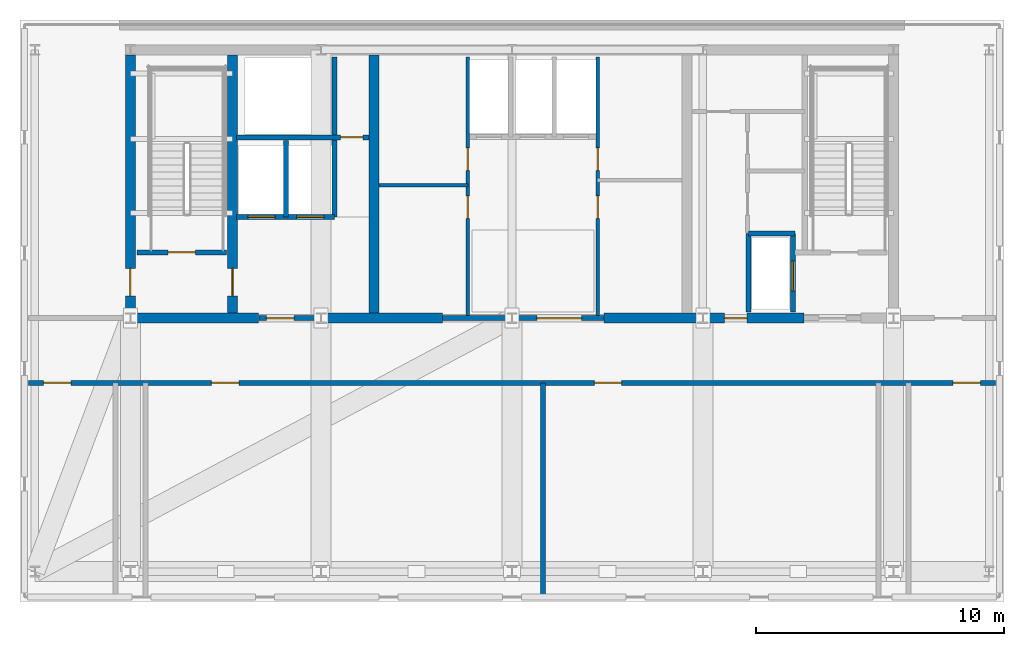
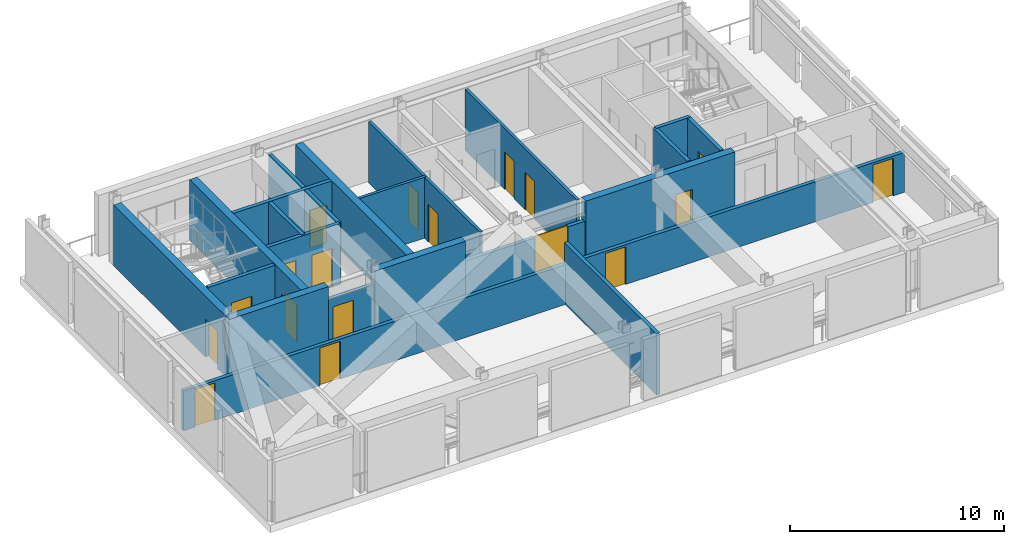
# One storey, part 2 of 8: 21 walls, 18 doors, 18 openings.
"""IFC4 building model written with IfcOpenShell, lengths in metres."""

import ifcopenshell
import ifcopenshell.guid

model = None  # the IFC model being written
_history = None  # IfcOwnerHistory: only IFC2X3 demands one
_inside = {}  # id of a spatial element -> (the spatial element, [elements in it])
_under = {}  # id of a project, library or spatial element -> (it, [spatial elements below it])
_declared = {}  # id of a project -> (the project, [libraries it declares])
_typed = {}  # id of a type object -> (the type object, [elements of that type])
_made_of = {}  # id of a material, layer set ... -> (it, [elements and type objects made of it])


def new_model(schema):
    """Start an empty IFC model of exactly this schema.

    Asked for "IFC4X3", IfcOpenShell would pick the latest addendum, in which some entities
    have other attributes; the version numbers below select the first issue.
    IFC2X3 requires an IfcOwnerHistory on every rooted entity: one is made here for all.
    """
    global model, _history
    if schema == "IFC4X3":
        model = ifcopenshell.file(schema_version=(4, 3, 0, 0))
    else:
        model = ifcopenshell.file(schema=schema)
    _inside.clear()
    _under.clear()
    _declared.clear()
    _typed.clear()
    _made_of.clear()
    _history = None
    if model.schema == "IFC2X3":
        org = make("IfcOrganization", Name="unknown")
        user = make(
            "IfcPersonAndOrganization",
            ThePerson=make("IfcPerson", FamilyName="unknown"),
            TheOrganization=org,
        )
        app = make(
            "IfcApplication",
            ApplicationDeveloper=org,
            Version="unknown",
            ApplicationFullName="unknown",
            ApplicationIdentifier="unknown",
        )
        _history = make(
            "IfcOwnerHistory",
            OwningUser=user,
            OwningApplication=app,
            ChangeAction="ADDED",
            CreationDate=0,
        )
    return model


def make(cls, **values):
    """One entity of the class cls with the attributes given. An attribute that is None is left unset."""
    return model.create_entity(
        cls, **{name: value for name, value in values.items() if value is not None}
    )


def rooted(cls, **values):
    """An entity with a GlobalId (a new one), such as an element, a storey or a relation."""
    return make(cls, GlobalId=ifcopenshell.guid.new(), OwnerHistory=_history, **values)


def si_unit(unit_type, name, prefix=None):
    """IfcSIUnit, for example si_unit("LENGTHUNIT", "METRE", prefix="MILLI")."""
    return make("IfcSIUnit", UnitType=unit_type, Prefix=prefix, Name=name)


def assignment(units):
    """IfcUnitAssignment: the units of a project."""
    return None if units is None else make("IfcUnitAssignment", Units=units)


def point(xyz):
    """IfcCartesianPoint."""
    return None if xyz is None else make("IfcCartesianPoint", Coordinates=xyz)


def direction(xyz):
    """IfcDirection."""
    return None if xyz is None else make("IfcDirection", DirectionRatios=xyz)


def frame(location, z_axis=None, x_axis=None):
    """IfcAxis2Placement3D, a coordinate frame: its origin and axes. An axis left out is left unset."""
    return make(
        "IfcAxis2Placement3D",
        Location=point(location),
        Axis=direction(z_axis),
        RefDirection=direction(x_axis),
    )


def frame_2d(location, x_axis=None):
    """IfcAxis2Placement2D, a coordinate frame in the plane: its origin and x axis."""
    return make(
        "IfcAxis2Placement2D", Location=point(location), RefDirection=direction(x_axis)
    )


def origin():
    """The frame at (0, 0, 0) with its axes left unset."""
    return frame((0.0, 0.0, 0.0))


def place(relative_to, where):
    """IfcLocalPlacement: puts the frame where relative to a parent placement (None: the world)."""
    return make(
        "IfcLocalPlacement", PlacementRelTo=relative_to, RelativePlacement=where
    )


def context(
    kind, dimensions, precision=None, world=None, true_north=None, identifier=None
):
    """IfcGeometricRepresentationContext, for example the 3D "Model" context."""
    return make(
        "IfcGeometricRepresentationContext",
        ContextIdentifier=identifier,
        ContextType=kind,
        CoordinateSpaceDimension=dimensions,
        Precision=precision,
        WorldCoordinateSystem=world,
        TrueNorth=true_north,
    )


def subcontext(parent, identifier, kind, view, scale=None):
    """IfcGeometricRepresentationSubContext, for example "Body" below "Model"."""
    return make(
        "IfcGeometricRepresentationSubContext",
        ContextIdentifier=identifier,
        ContextType=kind,
        ParentContext=parent,
        TargetScale=scale,
        TargetView=view,
    )


def project(units=None, contexts=None):
    """IfcProject with its units and contexts."""
    return rooted(
        "IfcProject",
        Name="project",
        RepresentationContexts=contexts,
        UnitsInContext=assignment(units),
    )


def spatial(cls, under=None, at=None, **own):
    """A site, building, storey or space (cls), placed at a placement, below another one or the project."""
    s = rooted(cls, ObjectPlacement=at, **own)
    if under is not None:
        _under.setdefault(under.id(), (under, []))[1].append(s)
    return s


def profile(cls, at=None, kind="AREA", **sizes):
    """A parametric profile (cls). Its sizes go by their IFC names, for example OverallWidth=200.0."""
    return make(cls, ProfileType=kind, Position=at, **sizes)


def rectangle(**sizes):
    """IfcRectangleProfileDef."""
    return profile("IfcRectangleProfileDef", **sizes)


def extrude(swept, where, along, depth):
    """IfcExtrudedAreaSolid: the profile swept, set in the frame where, extruded along a direction by depth."""
    return make(
        "IfcExtrudedAreaSolid",
        SweptArea=swept,
        Position=where,
        ExtrudedDirection=direction(along),
        Depth=depth,
    )


def shape(context_of_items, identifier, shape_type, items):
    """IfcShapeRepresentation: the items that make up one representation, for example the "Body"."""
    return make(
        "IfcShapeRepresentation",
        ContextOfItems=context_of_items,
        RepresentationIdentifier=identifier,
        RepresentationType=shape_type,
        Items=items,
    )


def material(Name=None, Category=None):
    """IfcMaterial."""
    return make("IfcMaterial", Name=Name, Category=Category)


def layer(
    of_material, thickness, ventilated=None, Name=None, Category=None, Priority=None
):
    """IfcMaterialLayer: one layer of a wall or slab, of a material (None: an air gap)."""
    return make(
        "IfcMaterialLayer",
        Material=of_material,
        LayerThickness=thickness,
        IsVentilated=ventilated,
        Name=Name,
        Category=Category,
        Priority=Priority,
    )


def layer_set(layers, Name=None):
    """IfcMaterialLayerSet."""
    return make("IfcMaterialLayerSet", MaterialLayers=layers, LayerSetName=Name)


def made_of(thing, what):
    """Note that an element or type object is made of a material, layer set ...; save() writes the relation."""
    if what is not None:
        _made_of.setdefault(what.id(), (what, []))[1].append(thing)
    return thing


def type_object(cls, material=None, **own):
    """A type object (cls), such as IfcWallType, which elements share."""
    return made_of(rooted(cls, **own), material)


def element(
    cls,
    number,
    at=None,
    inside=None,
    cuts=None,
    type_object=None,
    material=None,
    context=None,
    identifier="Body",
    shape_type=None,
    held_by="IfcProductDefinitionShape",
    body=None,
    shapes=None,
    **own,
):
    """One element of the class cls, such as IfcWall. Its Tag is "e" and its number.

    at: its placement. inside: the storey or other place that contains it. cuts: it is an
    opening in that element (IfcRelVoidsElement). A single representation is given by context,
    identifier, shape_type and body (its items); several are given by shapes. held_by: the class
    of the entity that holds the representations. save() writes the other relations.
    """
    e = rooted(cls, Tag="e%d" % number, ObjectPlacement=at, **own)
    if body is not None:
        shapes = [shape(context, identifier, shape_type, body)]
    if shapes is not None:
        e.Representation = make(held_by, Representations=shapes)
    if inside is not None:
        _inside.setdefault(inside.id(), (inside, []))[1].append(e)
    if cuts is not None:
        rooted(
            "IfcRelVoidsElement", RelatingBuildingElement=cuts, RelatedOpeningElement=e
        )
    if type_object is not None:
        _typed.setdefault(type_object.id(), (type_object, []))[1].append(e)
    return made_of(e, material)


def fill(opening, filler):
    """IfcRelFillsElement: the door or window that sits in an opening."""
    return rooted(
        "IfcRelFillsElement",
        RelatingOpeningElement=opening,
        RelatedBuildingElement=filler,
    )


def aggregate(whole, parts):
    """IfcRelAggregates: a whole, such as a stair, and the parts it consists of."""
    return rooted("IfcRelAggregates", RelatingObject=whole, RelatedObjects=parts)


def save(model, path):
    """Write the relations noted so far, then the file.

    IfcRelAggregates (storeys below a building ...), IfcRelContainedInSpatialStructure (elements
    in a storey), IfcRelDefinesByType, IfcRelAssociatesMaterial and IfcRelDeclares: one each for
    every whole, place, type object, material and project.
    """
    for whole, parts in _under.values():
        aggregate(whole, parts)
    for where, things in _inside.values():
        rooted(
            "IfcRelContainedInSpatialStructure",
            RelatedElements=things,
            RelatingStructure=where,
        )
    for kind, things in _typed.values():
        rooted("IfcRelDefinesByType", RelatedObjects=things, RelatingType=kind)
    for what, things in _made_of.values():
        rooted("IfcRelAssociatesMaterial", RelatedObjects=things, RelatingMaterial=what)
    for by, libraries in _declared.values():
        rooted("IfcRelDeclares", RelatingContext=by, RelatedDefinitions=libraries)
    model.write(path)


model = new_model("IFC4")

# Units and contexts
model_context = context("Model", 3, precision=1e-05, world=origin(), true_north=direction((0.0, 1.0)))
body_context = subcontext(model_context, "Body", "Model", "MODEL_VIEW")
ifc_project = project(units=[si_unit("LENGTHUNIT", "METRE"), si_unit("AREAUNIT", "SQUARE_METRE"), si_unit("VOLUMEUNIT", "CUBIC_METRE"), si_unit("PLANEANGLEUNIT", "RADIAN"), si_unit("MASSUNIT", "GRAM", prefix="KILO")], contexts=[model_context])

# Site, building, storey
site_placement = place(None, origin())
site = spatial("IfcSite", under=ifc_project, at=site_placement, CompositionType="ELEMENT")
building_placement = place(site_placement, origin())
building = spatial("IfcBuilding", under=site, at=building_placement, Name="Yelkora Congress Tower", CompositionType="ELEMENT")
storey_placement = place(building_placement, frame((0.0, 0.0, 255.199951171875)))
storey = spatial("IfcBuildingStorey", under=building, at=storey_placement, Name="L71", CompositionType="ELEMENT", Elevation=255.199951171875)

# Walls
ifc_material_1 = material(Name="Concrete C50/60", Category="concrete")
ifc_layer_1 = layer(ifc_material_1, 0.39990234375)
ifc_layer_set_1 = layer_set([ifc_layer_1], Name="Concrete C50/60")
wall_type_1 = type_object("IfcWallType", Name="WALL-CORE-INT-400", PredefinedType="SHEAR", material=ifc_layer_set_1)
wall_1_placement = place(storey_placement, frame((22.840087890625, 35.39990234375, 0.0), z_axis=(0.0, 0.0, 1.0), x_axis=(1.0, 0.0, 0.0)))
element("IfcWall", 1, at=wall_1_placement, inside=storey, type_object=wall_type_1, Name="L71 Rear Core South-West Shear Wall", PredefinedType="SHEAR", context=body_context, shape_type="SweptSolid", body=[
    extrude(rectangle(XDim=5.35986328125, YDim=0.39990234375, at=frame_2d((2.679931640625, 0.0))), origin(), (0.0, 0.0, 1.0), 3.47998046875),
])
wall_2_placement = place(storey_placement, frame((30.719970703125, 35.39990234375, 0.0), z_axis=(0.0, 0.0, 1.0), x_axis=(1.0, 0.0, 0.0)))
element("IfcWall", 2, at=wall_2_placement, inside=storey, type_object=wall_type_1, Name="L71 Rear Core South-Center Shear Pier", PredefinedType="SHEAR", context=body_context, shape_type="SweptSolid", body=[
    extrude(rectangle(XDim=4.880126953125, YDim=0.39990234375, at=frame_2d((2.43994140625, 0.0))), origin(), (0.0, 0.0, 1.0), 3.47998046875),
])

# Wall, opening, door
wall_3_placement = place(storey_placement, frame((42.10009765625, 35.39990234375, 0.0), z_axis=(0.0, 0.0, 1.0), x_axis=(1.0, 0.0, 0.0)))
wall_3 = element("IfcWall", 3, at=wall_3_placement, inside=storey, type_object=wall_type_1, Name="L71 Rear Core South-East Shear Wall A", PredefinedType="SHEAR", context=body_context, shape_type="SweptSolid", body=[
    extrude(rectangle(XDim=8.0498046875, YDim=0.39990234375, at=frame_2d((4.02490234375, 0.0))), origin(), (0.0, 0.0, 1.0), 3.47998046875),
])
opening_1_placement = place(wall_3_placement, frame((4.85009765625, 0.0, 0.0)))
opening_1 = element("IfcOpeningElement", 4, at=opening_1_placement, cuts=wall_3, Name="Opening DR-090F6", PredefinedType="OPENING", context=body_context, shape_type="SweptSolid", body=[
    extrude(rectangle(XDim=0.89990234375, YDim=2.14990234375, at=frame_2d((0.449951171875, 1.074951171875))), frame((0.0, 0.2099609375, 0.0), z_axis=(0.0, -1.0, 0.0), x_axis=(1.0, 0.0, 0.0)), (0.0, 0.0, 1.0), 0.419921875),
])
ifc_material_2 = material(Name="Painted steel riser fire door leaf", Category="steel")
door_type_1 = type_object("IfcDoorType", Name="DOOR-FD60-900", OperationType="NOTDEFINED", PredefinedType="DOOR", material=ifc_material_2)
door_1_placement = place(opening_1_placement, origin())
door_1 = element("IfcDoor", 5, at=door_1_placement, inside=storey, type_object=door_type_1, Name="L71 Core Washroom Lobby Door", OperationType="SINGLE_SWING_RIGHT", OverallHeight=2.14990234375, OverallWidth=0.89990234375, PredefinedType="DOOR", context=body_context, shape_type="SweptSolid", body=[
    extrude(rectangle(XDim=0.89990234375, YDim=2.14990234375, at=frame_2d((0.449951171875, 1.074951171875))), frame((0.0, 0.02490234375, 0.0), z_axis=(0.0, -1.0, 0.0), x_axis=(1.0, 0.0, 0.0)), (0.0, 0.0, 1.0), 0.050048828125),
])
fill(opening_1, door_1)

wall_4_placement = place(storey_placement, frame((23.0400390625, 35.60009765625, 0.0), z_axis=(0.0, 0.0, 1.0), x_axis=(0.0, 1.0, 0.0)))
wall_4 = element("IfcWall", 6, at=wall_4_placement, inside=storey, type_object=wall_type_1, Name="L71 Rear Core Cross Shear Wall W", PredefinedType="SHEAR", context=body_context, shape_type="SweptSolid", body=[
    extrude(rectangle(XDim=10.39990234375, YDim=0.39990234375, at=frame_2d((5.199951171875, 0.0))), origin(), (0.0, 0.0, 1.0), 3.47998046875),
])
opening_2_placement = place(wall_4_placement, frame((0.699951171875, 0.0, 0.0)))
opening_2 = element("IfcOpeningElement", 7, at=opening_2_placement, cuts=wall_4, Name="Opening DR-110F9", PredefinedType="OPENING", context=body_context, shape_type="SweptSolid", body=[
    extrude(rectangle(XDim=1.10009765625, YDim=2.14990234375, at=frame_2d((0.550048828125, 1.074951171875))), frame((0.0, 0.2099609375, 0.0), z_axis=(0.0, -1.0, 0.0), x_axis=(1.0, 0.0, 0.0)), (0.0, 0.0, 1.0), 0.419921875),
])
ifc_material_3 = material(Name="Galvanised steel fire door leaf", Category="steel")
door_type_2 = type_object("IfcDoorType", Name="DOOR-FD90-1100", OperationType="NOTDEFINED", PredefinedType="DOOR", material=ifc_material_3)
door_2_placement = place(opening_2_placement, origin())
door_2 = element("IfcDoor", 8, at=door_2_placement, inside=storey, type_object=door_type_2, Name="L71 Area of Refuge Direct Stair-Lobby Door", OperationType="SINGLE_SWING_LEFT", OverallHeight=2.14990234375, OverallWidth=1.10009765625, PredefinedType="DOOR", context=body_context, shape_type="SweptSolid", body=[
    extrude(rectangle(XDim=1.10009765625, YDim=2.14990234375, at=frame_2d((0.550048828125, 1.074951171875))), frame((0.0, 0.02490234375, 0.0), z_axis=(0.0, -1.0, 0.0), x_axis=(1.0, 0.0, 0.0)), (0.0, 0.0, 1.0), 0.050048828125),
])
fill(opening_2, door_2)

wall_5_placement = place(storey_placement, frame((27.14990234375, 35.60009765625, 0.0), z_axis=(0.0, 0.0, 1.0), x_axis=(0.0, 1.0, 0.0)))
wall_5 = element("IfcWall", 9, at=wall_5_placement, inside=storey, type_object=wall_type_1, Name="L71 Rear Core Cross Shear Wall C1", PredefinedType="SHEAR", context=body_context, shape_type="SweptSolid", body=[
    extrude(rectangle(XDim=10.39990234375, YDim=0.39990234375, at=frame_2d((5.199951171875, 0.0))), origin(), (0.0, 0.0, 1.0), 3.47998046875),
])
opening_3_placement = place(wall_5_placement, frame((0.699951171875, 0.0, 0.0)))
opening_3 = element("IfcOpeningElement", 10, at=opening_3_placement, cuts=wall_5, Name="Opening DR-110F9", PredefinedType="OPENING", context=body_context, shape_type="SweptSolid", body=[
    extrude(rectangle(XDim=1.10009765625, YDim=2.14990234375, at=frame_2d((0.550048828125, 1.074951171875))), frame((0.0, 0.2099609375, 0.0), z_axis=(0.0, -1.0, 0.0), x_axis=(1.0, 0.0, 0.0)), (0.0, 0.0, 1.0), 0.419921875),
])
door_3_placement = place(opening_3_placement, origin())
door_3 = element("IfcDoor", 11, at=door_3_placement, inside=storey, type_object=door_type_2, Name="L71 Firefighting Stair Transfer Door", OperationType="SINGLE_SWING_LEFT", OverallHeight=2.14990234375, OverallWidth=1.10009765625, PredefinedType="DOOR", context=body_context, shape_type="SweptSolid", body=[
    extrude(rectangle(XDim=1.10009765625, YDim=2.14990234375, at=frame_2d((0.550048828125, 1.074951171875))), frame((0.0, 0.02490234375, 0.0), z_axis=(0.0, -1.0, 0.0), x_axis=(1.0, 0.0, 0.0)), (0.0, 0.0, 1.0), 0.050048828125),
])
fill(opening_3, door_3)

# Walls
wall_6_placement = place(storey_placement, frame((32.85009765625, 35.60009765625, 0.0), z_axis=(0.0, 0.0, 1.0), x_axis=(0.0, 1.0, 0.0)))
element("IfcWall", 12, at=wall_6_placement, inside=storey, type_object=wall_type_1, Name="L71 Rear Core Cross Shear Wall C2", PredefinedType="SHEAR", context=body_context, shape_type="SweptSolid", body=[
    extrude(rectangle(XDim=10.39990234375, YDim=0.39990234375, at=frame_2d((5.199951171875, 0.0))), origin(), (0.0, 0.0, 1.0), 3.47998046875),
])
ifc_material_4 = material(Name="Twin-stud fire-rated gypsum partition", Category="gypsum")
ifc_layer_2 = layer(ifc_material_4, 0.14990234375)
ifc_layer_set_2 = layer_set([ifc_layer_2], Name="Twin-stud fire-rated gypsum partition")
wall_type_2 = type_object("IfcWallType", Name="WALL-INT-150-R60", PredefinedType="PARTITIONING", material=ifc_layer_set_2)
wall_7_placement = place(storey_placement, frame((33.050048828125, 40.75, 0.0), z_axis=(0.0, 0.0, 1.0), x_axis=(1.0, 0.0, 0.0)))
element("IfcWall", 13, at=wall_7_placement, inside=storey, type_object=wall_type_2, Name="L71 Partition Wall 11", PredefinedType="PARTITIONING", context=body_context, shape_type="SweptSolid", body=[
    extrude(rectangle(XDim=3.570068359375, YDim=0.14990234375, at=frame_2d((1.78515625, 0.0))), origin(), (0.0, 0.0, 1.0), 3.47998046875),
])

# Wall, openings, doors
wall_8_placement = place(storey_placement, frame((36.6201171875, 35.5, 0.0), z_axis=(0.0, 0.0, 1.0), x_axis=(0.0, 1.0, 0.0)))
wall_8 = element("IfcWall", 14, at=wall_8_placement, inside=storey, type_object=wall_type_2, Name="L71 Partition Wall 12", PredefinedType="PARTITIONING", context=body_context, shape_type="SweptSolid", body=[
    extrude(rectangle(XDim=10.419921875, YDim=0.14990234375, at=frame_2d((5.2099609375, 0.0))), origin(), (0.0, 0.0, 1.0), 3.47998046875),
])
opening_4_placement = place(wall_8_placement, frame((3.919921875, 0.0, 0.0)))
opening_4 = element("IfcOpeningElement", 15, at=opening_4_placement, cuts=wall_8, Name="Opening DR-090F6", PredefinedType="OPENING", context=body_context, shape_type="SweptSolid", body=[
    extrude(rectangle(XDim=0.89990234375, YDim=2.14990234375, at=frame_2d((0.449951171875, 1.074951171875))), frame((0.0, 0.0849609375, 0.0), z_axis=(0.0, -1.0, 0.0), x_axis=(1.0, 0.0, 0.0)), (0.0, 0.0, 1.0), 0.169921875),
])
opening_5_placement = place(wall_8_placement, frame((5.85009765625, 0.0, 0.0)))
opening_5 = element("IfcOpeningElement", 16, at=opening_5_placement, cuts=wall_8, Name="Opening DR-090F6", PredefinedType="OPENING", context=body_context, shape_type="SweptSolid", body=[
    extrude(rectangle(XDim=0.89990234375, YDim=2.14990234375, at=frame_2d((0.449951171875, 1.074951171875))), frame((0.0, 0.0849609375, 0.0), z_axis=(0.0, -1.0, 0.0), x_axis=(1.0, 0.0, 0.0)), (0.0, 0.0, 1.0), 0.169921875),
])
door_4_placement = place(opening_4_placement, origin())
door_4 = element("IfcDoor", 17, at=door_4_placement, inside=storey, type_object=door_type_1, Name="L71 Telecom Store Door", OperationType="SINGLE_SWING_RIGHT", OverallHeight=2.14990234375, OverallWidth=0.89990234375, PredefinedType="DOOR", context=body_context, shape_type="SweptSolid", body=[
    extrude(rectangle(XDim=0.89990234375, YDim=2.14990234375, at=frame_2d((0.449951171875, 1.074951171875))), frame((0.0, 0.02490234375, 0.0), z_axis=(0.0, -1.0, 0.0), x_axis=(1.0, 0.0, 0.0)), (0.0, 0.0, 1.0), 0.050048828125),
])
fill(opening_4, door_4)
door_5_placement = place(opening_5_placement, origin())
door_5 = element("IfcDoor", 18, at=door_5_placement, inside=storey, type_object=door_type_1, Name="L71 Archive Store Door", OperationType="SINGLE_SWING_LEFT", OverallHeight=2.14990234375, OverallWidth=0.89990234375, PredefinedType="DOOR", context=body_context, shape_type="SweptSolid", body=[
    extrude(rectangle(XDim=0.89990234375, YDim=2.14990234375, at=frame_2d((0.449951171875, 1.074951171875))), frame((0.0, 0.02490234375, 0.0), z_axis=(0.0, -1.0, 0.0), x_axis=(1.0, 0.0, 0.0)), (0.0, 0.0, 1.0), 0.050048828125),
])
fill(opening_5, door_5)

wall_9_placement = place(storey_placement, frame((41.85009765625, 35.5, 0.0), z_axis=(0.0, 0.0, 1.0), x_axis=(0.0, 1.0, 0.0)))
wall_9 = element("IfcWall", 19, at=wall_9_placement, inside=storey, type_object=wall_type_2, Name="L71 Partition Wall 14", PredefinedType="PARTITIONING", context=body_context, shape_type="SweptSolid", body=[
    extrude(rectangle(XDim=10.419921875, YDim=0.14990234375, at=frame_2d((5.2099609375, 0.0))), origin(), (0.0, 0.0, 1.0), 3.47998046875),
])
opening_6_placement = place(wall_9_placement, frame((3.919921875, 0.0, 0.0)))
opening_6 = element("IfcOpeningElement", 20, at=opening_6_placement, cuts=wall_9, Name="Opening DR-090F6", PredefinedType="OPENING", context=body_context, shape_type="SweptSolid", body=[
    extrude(rectangle(XDim=0.89990234375, YDim=2.14990234375, at=frame_2d((0.449951171875, 1.074951171875))), frame((0.0, 0.0849609375, 0.0), z_axis=(0.0, -1.0, 0.0), x_axis=(1.0, 0.0, 0.0)), (0.0, 0.0, 1.0), 0.169921875),
])
opening_7_placement = place(wall_9_placement, frame((5.85009765625, 0.0, 0.0)))
opening_7 = element("IfcOpeningElement", 21, at=opening_7_placement, cuts=wall_9, Name="Opening DR-090F6", PredefinedType="OPENING", context=body_context, shape_type="SweptSolid", body=[
    extrude(rectangle(XDim=0.89990234375, YDim=2.14990234375, at=frame_2d((0.449951171875, 1.074951171875))), frame((0.0, 0.0849609375, 0.0), z_axis=(0.0, -1.0, 0.0), x_axis=(1.0, 0.0, 0.0)), (0.0, 0.0, 1.0), 0.169921875),
])
door_6_placement = place(opening_6_placement, origin())
door_6 = element("IfcDoor", 22, at=door_6_placement, inside=storey, type_object=door_type_1, Name="L71 High-Zone BMS Door", OperationType="SINGLE_SWING_RIGHT", OverallHeight=2.14990234375, OverallWidth=0.89990234375, PredefinedType="DOOR", context=body_context, shape_type="SweptSolid", body=[
    extrude(rectangle(XDim=0.89990234375, YDim=2.14990234375, at=frame_2d((0.449951171875, 1.074951171875))), frame((0.0, 0.02490234375, 0.0), z_axis=(0.0, -1.0, 0.0), x_axis=(1.0, 0.0, 0.0)), (0.0, 0.0, 1.0), 0.050048828125),
])
fill(opening_6, door_6)
door_7_placement = place(opening_7_placement, origin())
door_7 = element("IfcDoor", 23, at=door_7_placement, inside=storey, type_object=door_type_1, Name="L71 Linen Store Door", OperationType="SINGLE_SWING_LEFT", OverallHeight=2.14990234375, OverallWidth=0.89990234375, PredefinedType="DOOR", context=body_context, shape_type="SweptSolid", body=[
    extrude(rectangle(XDim=0.89990234375, YDim=2.14990234375, at=frame_2d((0.449951171875, 1.074951171875))), frame((0.0, 0.02490234375, 0.0), z_axis=(0.0, -1.0, 0.0), x_axis=(1.0, 0.0, 0.0)), (0.0, 0.0, 1.0), 0.050048828125),
])
fill(opening_7, door_7)

# Wall, opening, door
ifc_material_5 = material(Name="Autoclaved aerated concrete blockwork", Category="masonry")
ifc_layer_3 = layer(ifc_material_5, 0.199951171875)
ifc_layer_set_3 = layer_set([ifc_layer_3], Name="Autoclaved aerated concrete blockwork")
wall_type_3 = type_object("IfcWallType", Name="WALL-INT-200-R120", PredefinedType="PARTITIONING", material=ifc_layer_set_3)
wall_10_placement = place(storey_placement, frame((23.300048828125, 38.050048828125, 0.0), z_axis=(0.0, 0.0, 1.0), x_axis=(1.0, 0.0, 0.0)))
wall_10 = element("IfcWall", 24, at=wall_10_placement, inside=storey, type_object=wall_type_3, Name="L71 Stair ST-01 Enclosure Wall", PredefinedType="PARTITIONING", context=body_context, shape_type="SweptSolid", body=[
    extrude(rectangle(XDim=3.619873046875, YDim=0.199951171875, at=frame_2d((1.81005859375, 0.0))), origin(), (0.0, 0.0, 1.0), 3.47998046875),
])
opening_8_placement = place(wall_10_placement, frame((1.260009765625, 0.0, 0.0)))
opening_8 = element("IfcOpeningElement", 25, at=opening_8_placement, cuts=wall_10, Name="Opening DR-110F9", PredefinedType="OPENING", context=body_context, shape_type="SweptSolid", body=[
    extrude(rectangle(XDim=1.10009765625, YDim=2.14990234375, at=frame_2d((0.550048828125, 1.074951171875))), frame((0.0, 0.10986328125, 0.0), z_axis=(0.0, -1.0, 0.0), x_axis=(1.0, 0.0, 0.0)), (0.0, 0.0, 1.0), 0.219970703125),
])
door_8_placement = place(opening_8_placement, origin())
door_8 = element("IfcDoor", 26, at=door_8_placement, inside=storey, type_object=door_type_2, Name="L71 Stair ST-01 Entry Door", OperationType="SINGLE_SWING_LEFT", OverallHeight=2.14990234375, OverallWidth=1.10009765625, PredefinedType="DOOR", context=body_context, shape_type="SweptSolid", body=[
    extrude(rectangle(XDim=1.10009765625, YDim=2.14990234375, at=frame_2d((0.550048828125, 1.074951171875))), frame((0.0, 0.02490234375, 0.0), z_axis=(0.0, -1.0, 0.0), x_axis=(1.0, 0.0, 0.0)), (0.0, 0.0, 1.0), 0.050048828125),
])
fill(opening_8, door_8)

wall_11_placement = place(storey_placement, frame((28.219970703125, 35.39990234375, 0.0), z_axis=(0.0, 0.0, 1.0), x_axis=(1.0, 0.0, 0.0)))
wall_11 = element("IfcWall", 27, at=wall_11_placement, inside=storey, type_object=wall_type_3, Name="L71 Firefighting Lobby South Wall", PredefinedType="PARTITIONING", context=body_context, shape_type="SweptSolid", body=[
    extrude(rectangle(XDim=2.5, YDim=0.199951171875, at=frame_2d((1.25, 0.0))), origin(), (0.0, 0.0, 1.0), 2.6611328125),
])
opening_9_placement = place(wall_11_placement, frame((0.300048828125, 0.0, 0.0)))
opening_9 = element("IfcOpeningElement", 28, at=opening_9_placement, cuts=wall_11, Name="Opening DR-110F9", PredefinedType="OPENING", context=body_context, shape_type="SweptSolid", body=[
    extrude(rectangle(XDim=1.10009765625, YDim=2.14990234375, at=frame_2d((0.550048828125, 1.074951171875))), frame((0.0, 0.10986328125, 0.0), z_axis=(0.0, -1.0, 0.0), x_axis=(1.0, 0.0, 0.0)), (0.0, 0.0, 1.0), 0.219970703125),
])
door_9_placement = place(opening_9_placement, origin())
door_9 = element("IfcDoor", 29, at=door_9_placement, inside=storey, type_object=door_type_2, Name="L71 Firefighting Lobby Corridor Door", OperationType="SINGLE_SWING_RIGHT", OverallHeight=2.14990234375, OverallWidth=1.10009765625, PredefinedType="DOOR", context=body_context, shape_type="SweptSolid", body=[
    extrude(rectangle(XDim=1.10009765625, YDim=2.14990234375, at=frame_2d((0.550048828125, 1.074951171875))), frame((0.0, 0.02490234375, 0.0), z_axis=(0.0, -1.0, 0.0), x_axis=(1.0, 0.0, 0.0)), (0.0, 0.0, 1.0), 0.050048828125),
])
fill(opening_9, door_9)

# Wall, openings, doors
wall_12_placement = place(storey_placement, frame((27.320068359375, 39.47998046875, 0.0), z_axis=(0.0, 0.0, 1.0), x_axis=(1.0, 0.0, 0.0)))
wall_12 = element("IfcWall", 30, at=wall_12_placement, inside=storey, type_object=wall_type_3, Name="L71 Firefighting Lift Front Wall", PredefinedType="PARTITIONING", context=body_context, shape_type="SweptSolid", body=[
    extrude(rectangle(XDim=3.93994140625, YDim=0.199951171875, at=frame_2d((1.969970703125, 0.0))), origin(), (0.0, 0.0, 1.0), 3.47998046875),
])
opening_10_placement = place(wall_12_placement, frame((0.449951171875, 0.0, 0.0)))
opening_10 = element("IfcOpeningElement", 31, at=opening_10_placement, cuts=wall_12, Name="Opening LD-FF11", PredefinedType="OPENING", context=body_context, shape_type="SweptSolid", body=[
    extrude(rectangle(XDim=1.10009765625, YDim=2.199951171875, at=frame_2d((0.550048828125, 1.10009765625))), frame((0.0, 0.10986328125, 0.0), z_axis=(0.0, -1.0, 0.0), x_axis=(1.0, 0.0, 0.0)), (0.0, 0.0, 1.0), 0.219970703125),
])
opening_11_placement = place(wall_12_placement, frame((2.409912109375, 0.0, 0.0)))
opening_11 = element("IfcOpeningElement", 32, at=opening_11_placement, cuts=wall_12, Name="Opening LD-FF11", PredefinedType="OPENING", context=body_context, shape_type="SweptSolid", body=[
    extrude(rectangle(XDim=1.10009765625, YDim=2.199951171875, at=frame_2d((0.550048828125, 1.10009765625))), frame((0.0, 0.10986328125, 0.0), z_axis=(0.0, -1.0, 0.0), x_axis=(1.0, 0.0, 0.0)), (0.0, 0.0, 1.0), 0.219970703125),
])
ifc_material_6 = material(Name="Brushed stainless steel 316L landing door", Category="steel")
door_type_3 = type_object("IfcDoorType", Name="DOOR-LIFT-FF-1100", OperationType="DOUBLE_DOOR_SLIDING", PredefinedType="DOOR", material=ifc_material_6)
door_10_placement = place(opening_10_placement, origin())
door_10 = element("IfcDoor", 33, at=door_10_placement, inside=storey, type_object=door_type_3, Name="Lift Landing Door LF-FF1 L71", OperationType="DOUBLE_DOOR_SLIDING", OverallHeight=2.199951171875, OverallWidth=1.10009765625, PredefinedType="DOOR", context=body_context, shape_type="SweptSolid", body=[
    extrude(rectangle(XDim=1.10009765625, YDim=2.199951171875, at=frame_2d((0.550048828125, 1.10009765625))), frame((0.0, 0.02490234375, 0.0), z_axis=(0.0, -1.0, 0.0), x_axis=(1.0, 0.0, 0.0)), (0.0, 0.0, 1.0), 0.050048828125),
])
fill(opening_10, door_10)
door_11_placement = place(opening_11_placement, origin())
door_11 = element("IfcDoor", 34, at=door_11_placement, inside=storey, type_object=door_type_3, Name="Lift Landing Door LF-FF2 L71", OperationType="DOUBLE_DOOR_SLIDING", OverallHeight=2.199951171875, OverallWidth=1.10009765625, PredefinedType="DOOR", context=body_context, shape_type="SweptSolid", body=[
    extrude(rectangle(XDim=1.10009765625, YDim=2.199951171875, at=frame_2d((0.550048828125, 1.10009765625))), frame((0.0, 0.02490234375, 0.0), z_axis=(0.0, -1.0, 0.0), x_axis=(1.0, 0.0, 0.0)), (0.0, 0.0, 1.0), 0.050048828125),
])
fill(opening_11, door_11)

# Walls
wall_13_placement = place(storey_placement, frame((29.300048828125, 39.47998046875, 0.0), z_axis=(0.0, 0.0, 1.0), x_axis=(0.0, 1.0, 0.0)))
element("IfcWall", 35, at=wall_13_placement, inside=storey, type_object=wall_type_3, Name="L71 Partition Wall 4", PredefinedType="PARTITIONING", context=body_context, shape_type="SweptSolid", body=[
    extrude(rectangle(XDim=3.070068359375, YDim=0.199951171875, at=frame_2d((1.53515625, 0.0))), origin(), (0.0, 0.0, 1.0), 3.47998046875),
])
wall_14_placement = place(storey_placement, frame((31.260009765625, 39.47998046875, 0.0), z_axis=(0.0, 0.0, 1.0), x_axis=(0.0, 1.0, 0.0)))
element("IfcWall", 36, at=wall_14_placement, inside=storey, type_object=wall_type_3, Name="L71 Partition Wall 5", PredefinedType="PARTITIONING", context=body_context, shape_type="SweptSolid", body=[
    extrude(rectangle(XDim=6.43994140625, YDim=0.199951171875, at=frame_2d((3.219970703125, 0.0))), origin(), (0.0, 0.0, 1.0), 3.47998046875),
])

# Wall, opening, door
wall_15_placement = place(storey_placement, frame((27.320068359375, 42.679931640625, 0.0), z_axis=(0.0, 0.0, 1.0), x_axis=(1.0, 0.0, 0.0)))
wall_15 = element("IfcWall", 37, at=wall_15_placement, inside=storey, type_object=wall_type_3, Name="L71 Smoke Riser South Wall", PredefinedType="PARTITIONING", context=body_context, shape_type="SweptSolid", body=[
    extrude(rectangle(XDim=5.329833984375, YDim=0.199951171875, at=frame_2d((2.6650390625, 0.0))), origin(), (0.0, 0.0, 1.0), 3.47998046875),
])
opening_12_placement = place(wall_15_placement, frame((4.179931640625, 0.0, 0.0)))
opening_12 = element("IfcOpeningElement", 38, at=opening_12_placement, cuts=wall_15, Name="Opening DR-090F6", PredefinedType="OPENING", context=body_context, shape_type="SweptSolid", body=[
    extrude(rectangle(XDim=0.89990234375, YDim=2.14990234375, at=frame_2d((0.449951171875, 1.074951171875))), frame((0.0, 0.10986328125, 0.0), z_axis=(0.0, -1.0, 0.0), x_axis=(1.0, 0.0, 0.0)), (0.0, 0.0, 1.0), 0.219970703125),
])
door_12_placement = place(opening_12_placement, origin())
door_12 = element("IfcDoor", 39, at=door_12_placement, inside=storey, type_object=door_type_1, Name="L71 Riser Access Door", OperationType="SINGLE_SWING_LEFT", OverallHeight=2.14990234375, OverallWidth=0.89990234375, PredefinedType="DOOR", context=body_context, shape_type="SweptSolid", body=[
    extrude(rectangle(XDim=0.89990234375, YDim=2.14990234375, at=frame_2d((0.449951171875, 1.074951171875))), frame((0.0, 0.02490234375, 0.0), z_axis=(0.0, -1.0, 0.0), x_axis=(1.0, 0.0, 0.0)), (0.0, 0.0, 1.0), 0.050048828125),
])
fill(opening_12, door_12)

wall_16_placement = place(storey_placement, frame((35.60009765625, 35.39990234375, 0.0), z_axis=(0.0, 0.0, 1.0), x_axis=(1.0, 0.0, 0.0)))
wall_16 = element("IfcWall", 40, at=wall_16_placement, inside=storey, type_object=wall_type_3, Name="L71 Main Lift Lobby South Portal Wall", PredefinedType="PARTITIONING", context=body_context, shape_type="SweptSolid", body=[
    extrude(rectangle(XDim=6.5, YDim=0.199951171875, at=frame_2d((3.25, 0.0))), origin(), (0.0, 0.0, 1.0), 2.275146484375),
])
opening_13_placement = place(wall_16_placement, frame((3.800048828125, 0.0, 0.0)))
opening_13 = element("IfcOpeningElement", 41, at=opening_13_placement, cuts=wall_16, Name="Opening DR-180D", PredefinedType="OPENING", context=body_context, shape_type="SweptSolid", body=[
    extrude(rectangle(XDim=1.800048828125, YDim=2.300048828125, at=frame_2d((0.89990234375, 1.14990234375))), frame((0.0, 0.10986328125, 0.0), z_axis=(0.0, -1.0, 0.0), x_axis=(1.0, 0.0, 0.0)), (0.0, 0.0, 1.0), 0.219970703125),
])
ifc_material_7 = material(Name="Acoustic double congress hall doors", Category="wood")
door_type_4 = type_object("IfcDoorType", Name="DOOR-DBL-1800", OperationType="DOUBLE_DOOR_SINGLE_SWING", PredefinedType="DOOR", material=ifc_material_7)
door_13_placement = place(opening_13_placement, origin())
door_13 = element("IfcDoor", 42, at=door_13_placement, inside=storey, type_object=door_type_4, Name="L71 Main Lift Lobby Portal Door", OperationType="DOUBLE_DOOR_SINGLE_SWING", OverallHeight=2.300048828125, OverallWidth=1.800048828125, PredefinedType="DOOR", context=body_context, shape_type="SweptSolid", body=[
    extrude(rectangle(XDim=1.800048828125, YDim=2.300048828125, at=frame_2d((0.89990234375, 1.14990234375))), frame((0.0, 0.02490234375, 0.0), z_axis=(0.0, -1.0, 0.0), x_axis=(1.0, 0.0, 0.0)), (0.0, 0.0, 1.0), 0.050048828125),
])
fill(opening_13, door_13)

wall_17_placement = place(storey_placement, frame((49.699951171875, 35.64990234375, 0.0), z_axis=(0.0, 0.0, 1.0), x_axis=(0.0, 1.0, 0.0)))
wall_17 = element("IfcWall", 43, at=wall_17_placement, inside=storey, type_object=wall_type_3, Name="L71 Partition Wall 17", PredefinedType="PARTITIONING", context=body_context, shape_type="SweptSolid", body=[
    extrude(rectangle(XDim=3.150146484375, YDim=0.199951171875, at=frame_2d((1.5751953125, 0.0))), origin(), (0.0, 0.0, 1.0), 3.47998046875),
])
opening_14_placement = place(wall_17_placement, frame((0.85009765625, 0.0, 0.0)))
opening_14 = element("IfcOpeningElement", 44, at=opening_14_placement, cuts=wall_17, Name="Opening LD-SV12", PredefinedType="OPENING", context=body_context, shape_type="SweptSolid", body=[
    extrude(rectangle(XDim=1.199951171875, YDim=2.199951171875, at=frame_2d((0.60009765625, 1.10009765625))), frame((0.0, 0.10986328125, 0.0), z_axis=(0.0, -1.0, 0.0), x_axis=(1.0, 0.0, 0.0)), (0.0, 0.0, 1.0), 0.219970703125),
])
ifc_material_8 = material(Name="Heavy-duty stainless steel landing door", Category="steel")
door_type_5 = type_object("IfcDoorType", Name="DOOR-LIFT-SRV-1200", OperationType="DOUBLE_DOOR_SLIDING", PredefinedType="DOOR", material=ifc_material_8)
door_14_placement = place(opening_14_placement, origin())
door_14 = element("IfcDoor", 45, at=door_14_placement, inside=storey, type_object=door_type_5, Name="Service Lift Landing Door LF-SV1 L71", OperationType="DOUBLE_DOOR_SLIDING", OverallHeight=2.199951171875, OverallWidth=1.199951171875, PredefinedType="DOOR", context=body_context, shape_type="SweptSolid", body=[
    extrude(rectangle(XDim=1.199951171875, YDim=2.199951171875, at=frame_2d((0.60009765625, 1.10009765625))), frame((0.0, 0.02490234375, 0.0), z_axis=(0.0, -1.0, 0.0), x_axis=(1.0, 0.0, 0.0)), (0.0, 0.0, 1.0), 0.050048828125),
])
fill(opening_14, door_14)

# Walls
wall_18_placement = place(storey_placement, frame((47.919921875, 35.64990234375, 0.0), z_axis=(0.0, 0.0, 1.0), x_axis=(0.0, 1.0, 0.0)))
element("IfcWall", 46, at=wall_18_placement, inside=storey, type_object=wall_type_3, Name="L71 Partition Wall 18", PredefinedType="PARTITIONING", context=body_context, shape_type="SweptSolid", body=[
    extrude(rectangle(XDim=3.150146484375, YDim=0.199951171875, at=frame_2d((1.5751953125, 0.0))), origin(), (0.0, 0.0, 1.0), 3.47998046875),
])
wall_19_placement = place(storey_placement, frame((47.919921875, 38.800048828125, 0.0), z_axis=(0.0, 0.0, 1.0), x_axis=(1.0, 0.0, 0.0)))
element("IfcWall", 47, at=wall_19_placement, inside=storey, type_object=wall_type_3, Name="L71 Partition Wall 19", PredefinedType="PARTITIONING", context=body_context, shape_type="SweptSolid", body=[
    extrude(rectangle(XDim=1.860107421875, YDim=0.199951171875, at=frame_2d((0.93017578125, 0.0))), origin(), (0.0, 0.0, 1.0), 3.47998046875),
])
wall_20_placement = place(storey_placement, frame((39.64990234375, 24.179931640625, 0.0), z_axis=(0.0, 0.0, 1.0), x_axis=(0.0, 1.0, 0.0)))
element("IfcWall", 48, at=wall_20_placement, inside=storey, type_object=wall_type_3, Name="L71 Partition Wall 27", PredefinedType="PARTITIONING", context=body_context, shape_type="SweptSolid", body=[
    extrude(rectangle(XDim=8.6201171875, YDim=0.199951171875, at=frame_2d((4.31005859375, 0.0))), origin(), (0.0, 0.0, 1.0), 3.47998046875),
])

# Wall, openings, doors
wall_21_placement = place(storey_placement, frame((18.949951171875, 32.800048828125, 0.0), z_axis=(0.0, 0.0, 1.0), x_axis=(1.0, 0.0, 0.0)))
wall_21 = element("IfcWall", 49, at=wall_21_placement, inside=storey, type_object=wall_type_3, Name="L71 Partition Wall 30", PredefinedType="PARTITIONING", context=body_context, shape_type="SweptSolid", body=[
    extrude(rectangle(XDim=38.900146484375, YDim=0.199951171875, at=frame_2d((19.4501953125, 0.0))), origin(), (0.0, 0.0, 1.0), 2.275146484375),
])
opening_15_placement = place(wall_21_placement, frame((0.60009765625, 0.0, 0.0)))
opening_15 = element("IfcOpeningElement", 50, at=opening_15_placement, cuts=wall_21, Name="Opening DR-110F9", PredefinedType="OPENING", context=body_context, shape_type="SweptSolid", body=[
    extrude(rectangle(XDim=1.10009765625, YDim=2.14990234375, at=frame_2d((0.550048828125, 1.074951171875))), frame((0.0, 0.10986328125, 0.0), z_axis=(0.0, -1.0, 0.0), x_axis=(1.0, 0.0, 0.0)), (0.0, 0.0, 1.0), 0.219970703125),
])
opening_16_placement = place(wall_21_placement, frame((7.35498046875, 0.0, 0.0)))
opening_16 = element("IfcOpeningElement", 51, at=opening_16_placement, cuts=wall_21, Name="Opening DR-110F9", PredefinedType="OPENING", context=body_context, shape_type="SweptSolid", body=[
    extrude(rectangle(XDim=1.10009765625, YDim=2.14990234375, at=frame_2d((0.550048828125, 1.074951171875))), frame((0.0, 0.10986328125, 0.0), z_axis=(0.0, -1.0, 0.0), x_axis=(1.0, 0.0, 0.0)), (0.0, 0.0, 1.0), 0.219970703125),
])
opening_17_placement = place(wall_21_placement, frame((22.760986328125, 0.0, 0.0)))
opening_17 = element("IfcOpeningElement", 52, at=opening_17_placement, cuts=wall_21, Name="Opening DR-110F9", PredefinedType="OPENING", context=body_context, shape_type="SweptSolid", body=[
    extrude(rectangle(XDim=1.10009765625, YDim=2.14990234375, at=frame_2d((0.550048828125, 1.074951171875))), frame((0.0, 0.10986328125, 0.0), z_axis=(0.0, -1.0, 0.0), x_axis=(1.0, 0.0, 0.0)), (0.0, 0.0, 1.0), 0.219970703125),
])
opening_18_placement = place(wall_21_placement, frame((37.199951171875, 0.0, 0.0)))
opening_18 = element("IfcOpeningElement", 53, at=opening_18_placement, cuts=wall_21, Name="Opening DR-110F9", PredefinedType="OPENING", context=body_context, shape_type="SweptSolid", body=[
    extrude(rectangle(XDim=1.10009765625, YDim=2.14990234375, at=frame_2d((0.550048828125, 1.074951171875))), frame((0.0, 0.10986328125, 0.0), z_axis=(0.0, -1.0, 0.0), x_axis=(1.0, 0.0, 0.0)), (0.0, 0.0, 1.0), 0.219970703125),
])
door_15_placement = place(opening_15_placement, origin())
door_15 = element("IfcDoor", 54, at=door_15_placement, inside=storey, type_object=door_type_2, Name="L71 Interior Door 21", OperationType="SINGLE_SWING_LEFT", OverallHeight=2.14990234375, OverallWidth=1.10009765625, PredefinedType="DOOR", context=body_context, shape_type="SweptSolid", body=[
    extrude(rectangle(XDim=1.10009765625, YDim=2.14990234375, at=frame_2d((0.550048828125, 1.074951171875))), frame((0.0, 0.02490234375, 0.0), z_axis=(0.0, -1.0, 0.0), x_axis=(1.0, 0.0, 0.0)), (0.0, 0.0, 1.0), 0.050048828125),
])
fill(opening_15, door_15)
door_16_placement = place(opening_16_placement, origin())
door_16 = element("IfcDoor", 55, at=door_16_placement, inside=storey, type_object=door_type_2, Name="L71 Interior Door 22", OperationType="SINGLE_SWING_RIGHT", OverallHeight=2.14990234375, OverallWidth=1.10009765625, PredefinedType="DOOR", context=body_context, shape_type="SweptSolid", body=[
    extrude(rectangle(XDim=1.10009765625, YDim=2.14990234375, at=frame_2d((0.550048828125, 1.074951171875))), frame((0.0, 0.02490234375, 0.0), z_axis=(0.0, -1.0, 0.0), x_axis=(1.0, 0.0, 0.0)), (0.0, 0.0, 1.0), 0.050048828125),
])
fill(opening_16, door_16)
door_17_placement = place(opening_17_placement, origin())
door_17 = element("IfcDoor", 56, at=door_17_placement, inside=storey, type_object=door_type_2, Name="L71 Interior Door 23", OperationType="SINGLE_SWING_LEFT", OverallHeight=2.14990234375, OverallWidth=1.10009765625, PredefinedType="DOOR", context=body_context, shape_type="SweptSolid", body=[
    extrude(rectangle(XDim=1.10009765625, YDim=2.14990234375, at=frame_2d((0.550048828125, 1.074951171875))), frame((0.0, 0.02490234375, 0.0), z_axis=(0.0, -1.0, 0.0), x_axis=(1.0, 0.0, 0.0)), (0.0, 0.0, 1.0), 0.050048828125),
])
fill(opening_17, door_17)
door_18_placement = place(opening_18_placement, origin())
door_18 = element("IfcDoor", 57, at=door_18_placement, inside=storey, type_object=door_type_2, Name="L71 Interior Door 24", OperationType="SINGLE_SWING_RIGHT", OverallHeight=2.14990234375, OverallWidth=1.10009765625, PredefinedType="DOOR", context=body_context, shape_type="SweptSolid", body=[
    extrude(rectangle(XDim=1.10009765625, YDim=2.14990234375, at=frame_2d((0.550048828125, 1.074951171875))), frame((0.0, 0.02490234375, 0.0), z_axis=(0.0, -1.0, 0.0), x_axis=(1.0, 0.0, 0.0)), (0.0, 0.0, 1.0), 0.050048828125),
])
fill(opening_18, door_18)

save(model, "model.ifc")
